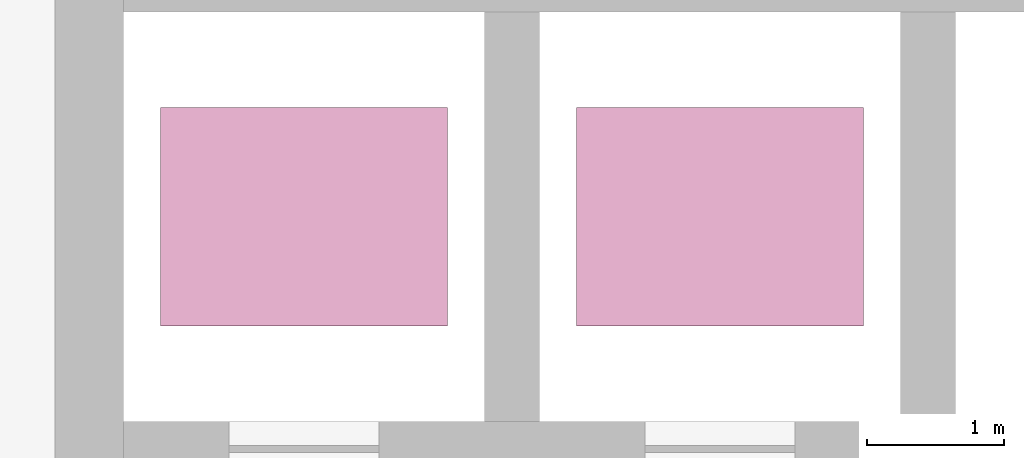
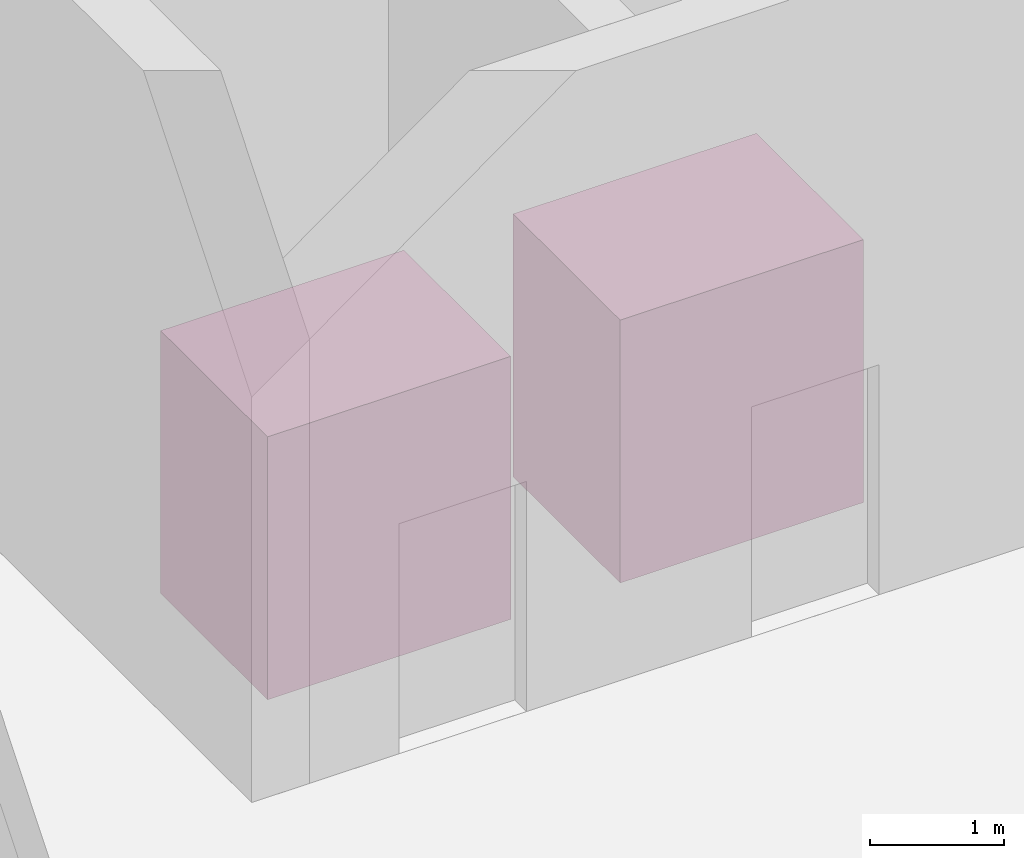
# One storey, part 18 of 18: 2 transport elements.
"""IFC4 building model written with IfcOpenShell, lengths in metres."""

from ifc_helpers import new_model, si_unit, direction, frame, origin, origin_2d, place, context, subcontext, project, spatial, rectangle, extrude, material, type_object, element, save


model = new_model("IFC4")

# Units and contexts
model_context = context("Model", 3, precision=1e-05, world=origin(), true_north=direction((0.0, 1.0)))
body_context = subcontext(model_context, "Body", "Model", "MODEL_VIEW")
ifc_project = project(units=[si_unit("LENGTHUNIT", "METRE"), si_unit("AREAUNIT", "SQUARE_METRE"), si_unit("VOLUMEUNIT", "CUBIC_METRE"), si_unit("PLANEANGLEUNIT", "RADIAN"), si_unit("MASSUNIT", "GRAM", prefix="KILO")], contexts=[model_context])

# Site, building, storey
site_placement = place(None, origin())
site = spatial("IfcSite", under=ifc_project, at=site_placement, CompositionType="ELEMENT")
building_placement = place(site_placement, origin())
building = spatial("IfcBuilding", under=site, at=building_placement, Name="Vidyagriha Tower", CompositionType="ELEMENT")
storey_placement = place(building_placement, origin())
storey = spatial("IfcBuildingStorey", under=building, at=storey_placement, Name="L00", CompositionType="ELEMENT", Elevation=0.0)

# Transport elements
ifc_material = material(Name="Stainless steel lift car", Category="steel")
transport_element_type = type_object("IfcTransportElementType", Name="Lift car shuttle 2100 x 1600 mm", PredefinedType="ELEVATOR", material=ifc_material)
for number, where, name in (
    (1, (-12.177734375, 4.89990234375, 0.0), "Lift SH1"),
    (2, (-9.13330078125, 4.89990234375, 0.0), "Lift SH2"),
):
    element("IfcTransportElement", number, at=place(storey_placement, frame(where)), inside=storey, type_object=transport_element_type, Name=name, PredefinedType="ELEVATOR", context=body_context, shape_type="SweptSolid", body=[
        extrude(rectangle(XDim=2.10009765625, YDim=1.60009765625, at=origin_2d()), origin(), (0.0, 0.0, 1.0), 2.39990234375),
    ])

save(model, "model.ifc")
